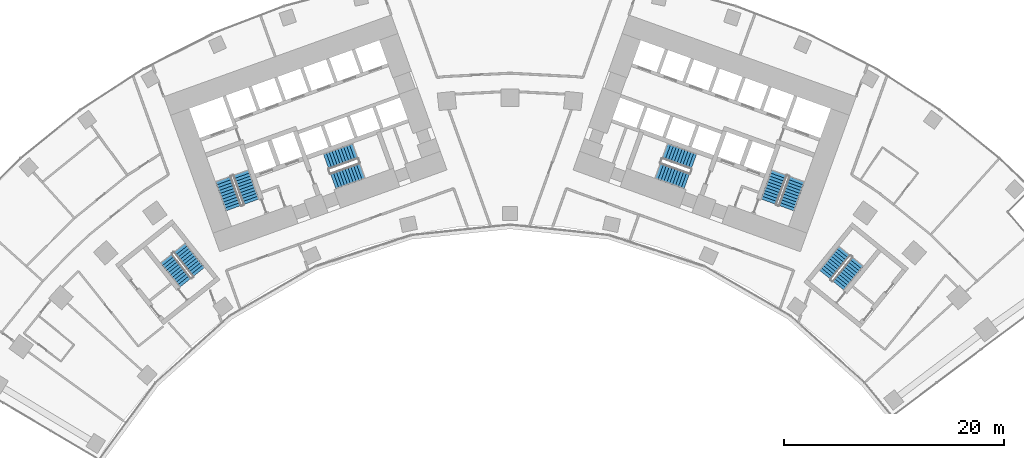
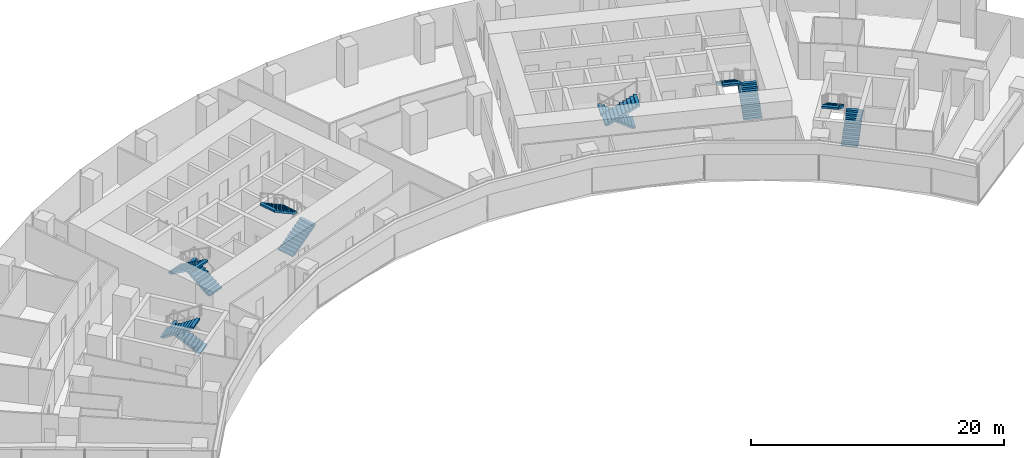
# One storey, part 19 of 21: 12 stair flights, 6 elements without a shape of their own.
"""IFC4 building model written with IfcOpenShell, lengths in metres."""

from ifc_helpers import new_model, si_unit, direction, frame, origin, place, context, subcontext, project, spatial, polyline, outline, extrude, material, type_object, element, aggregate, save


model = new_model("IFC4")

# Units and contexts
model_context = context("Model", 3, precision=1e-05, world=origin(), true_north=direction((0.0, 1.0)))
body_context = subcontext(model_context, "Body", "Model", "MODEL_VIEW")
ifc_project = project(units=[si_unit("LENGTHUNIT", "METRE"), si_unit("AREAUNIT", "SQUARE_METRE"), si_unit("VOLUMEUNIT", "CUBIC_METRE"), si_unit("PLANEANGLEUNIT", "RADIAN"), si_unit("MASSUNIT", "GRAM", prefix="KILO")], contexts=[model_context])

# Site, building, storey
site_placement = place(None, origin())
site = spatial("IfcSite", under=ifc_project, at=site_placement, CompositionType="ELEMENT")
building_placement = place(site_placement, origin())
building = spatial("IfcBuilding", under=site, at=building_placement, Name="Stone Belt Terrace Tower", CompositionType="ELEMENT")
storey_placement = place(building_placement, frame((0.0, 0.0, 71.800048828125)))
storey = spatial("IfcBuildingStorey", under=building, at=storey_placement, Name="L17", CompositionType="ELEMENT", Elevation=71.800048828125)

# Stair, stair flights
ifc_material = material(Name="Concrete B40", Category="concrete")
stair_type = type_object("IfcStairType", Name="Exit stair 1500", PredefinedType="HALF_TURN_STAIR", material=ifc_material)
stair_1_placement = place(storey_placement, origin())
stair_1 = element("IfcStair", 1, at=stair_1_placement, inside=storey, type_object=stair_type, Name="L17 Exit stair 1 core A", PredefinedType="HALF_TURN_STAIR")
stair_flight_type = type_object("IfcStairFlightType", Name="Stair flight 1500", PredefinedType="STRAIGHT", material=ifc_material)
stair_flight_1_placement = place(storey_placement, frame((-23.55322265625, 45.51318359375, 0.0), z_axis=(0.0, 0.0, 1.0), x_axis=(-0.338624396177, 0.940921632398, 0.0)))
stair_flight_1 = element("IfcStairFlight", 2, at=stair_flight_1_placement, type_object=stair_flight_type, Name="ST1A flight 1", NumberOfRisers=11, NumberOfTreads=10, PredefinedType="STRAIGHT", RiserHeight=0.172727273, TreadLength=0.28, context=body_context, shape_type="SweptSolid", body=[
    extrude(outline(polyline([(0.0, 0.0), (0.0, 0.172607421875), (0.280029296875, 0.172607421875), (0.280029296875, 0.345458984375), (0.56005859375, 0.345458984375), (0.56005859375, 0.51806640625), (0.840087890625, 0.51806640625), (0.840087890625, 0.69091796875), (1.1201171875, 0.69091796875), (1.1201171875, 0.863525390625), (1.39990234375, 0.863525390625), (1.39990234375, 1.036376953125), (1.679931640625, 1.036376953125), (1.679931640625, 1.208984375), (1.9599609375, 1.208984375), (1.9599609375, 1.3818359375), (2.239990234375, 1.3818359375), (2.239990234375, 1.554443359375), (2.52001953125, 1.554443359375), (2.52001953125, 1.727294921875), (2.800048828125, 1.727294921875), (2.800048828125, 1.89990234375), (2.800048828125, 1.551025390625), (0.285400390625, 0.0), (0.0, 0.0)])), frame((0.0, 0.75, 0.0), z_axis=(0.0, -1.0, 0.0), x_axis=(1.0, 0.0, 0.0)), (0.0, 0.0, 1.0), 1.5),
])
stair_flight_2_placement = place(storey_placement, frame((-26.10107421875, 47.572021484375, 1.89990234375), z_axis=(0.0, 0.0, 1.0), x_axis=(0.338624396177, -0.940921632398, 0.0)))
stair_flight_2 = element("IfcStairFlight", 3, at=stair_flight_2_placement, type_object=stair_flight_type, Name="ST1A flight 2", NumberOfRisers=11, NumberOfTreads=10, PredefinedType="STRAIGHT", RiserHeight=0.172727273, TreadLength=0.28, context=body_context, shape_type="SweptSolid", body=[
    extrude(outline(polyline([(0.0, 0.0), (0.0, 0.172607421875), (0.280029296875, 0.172607421875), (0.280029296875, 0.345458984375), (0.56005859375, 0.345458984375), (0.56005859375, 0.51806640625), (0.840087890625, 0.51806640625), (0.840087890625, 0.69091796875), (1.1201171875, 0.69091796875), (1.1201171875, 0.863525390625), (1.39990234375, 0.863525390625), (1.39990234375, 1.036376953125), (1.679931640625, 1.036376953125), (1.679931640625, 1.208984375), (1.9599609375, 1.208984375), (1.9599609375, 1.3818359375), (2.239990234375, 1.3818359375), (2.239990234375, 1.554443359375), (2.52001953125, 1.554443359375), (2.52001953125, 1.727294921875), (2.800048828125, 1.727294921875), (2.800048828125, 1.89990234375), (2.800048828125, 1.551025390625), (0.285400390625, 0.0), (0.0, 0.0)])), frame((0.0, 0.75, 0.0), z_axis=(0.0, -1.0, 0.0), x_axis=(1.0, 0.0, 0.0)), (0.0, 0.0, 1.0), 1.5),
])
aggregate(stair_1, [stair_flight_1, stair_flight_2])

stair_2_placement = place(storey_placement, origin())
stair_2 = element("IfcStair", 4, at=stair_2_placement, inside=storey, type_object=stair_type, Name="L17 Exit stair 2 core A", PredefinedType="HALF_TURN_STAIR")
stair_flight_3_placement = place(storey_placement, frame((-16.101318359375, 47.39794921875, 0.0), z_axis=(0.0, 0.0, 1.0), x_axis=(0.940921632398, 0.338624396177, 0.0)))
stair_flight_3 = element("IfcStairFlight", 5, at=stair_flight_3_placement, type_object=stair_flight_type, Name="ST2A flight 1", NumberOfRisers=11, NumberOfTreads=10, PredefinedType="STRAIGHT", RiserHeight=0.172727273, TreadLength=0.28, context=body_context, shape_type="SweptSolid", body=[
    extrude(outline(polyline([(0.0, 0.0), (0.0, 0.172607421875), (0.280029296875, 0.172607421875), (0.280029296875, 0.345458984375), (0.56005859375, 0.345458984375), (0.56005859375, 0.51806640625), (0.840087890625, 0.51806640625), (0.840087890625, 0.69091796875), (1.1201171875, 0.69091796875), (1.1201171875, 0.863525390625), (1.39990234375, 0.863525390625), (1.39990234375, 1.036376953125), (1.679931640625, 1.036376953125), (1.679931640625, 1.208984375), (1.9599609375, 1.208984375), (1.9599609375, 1.3818359375), (2.239990234375, 1.3818359375), (2.239990234375, 1.554443359375), (2.52001953125, 1.554443359375), (2.52001953125, 1.727294921875), (2.800048828125, 1.727294921875), (2.800048828125, 1.89990234375), (2.800048828125, 1.551025390625), (0.285400390625, 0.0), (0.0, 0.0)])), frame((0.0, 0.75, 0.0), z_axis=(0.0, -1.0, 0.0), x_axis=(1.0, 0.0, 0.0)), (0.0, 0.0, 1.0), 1.5),
])
stair_flight_4_placement = place(storey_placement, frame((-14.110107421875, 50.1337890625, 1.89990234375), z_axis=(0.0, 0.0, 1.0), x_axis=(-0.940921632398, -0.338624396177, 0.0)))
stair_flight_4 = element("IfcStairFlight", 6, at=stair_flight_4_placement, type_object=stair_flight_type, Name="ST2A flight 2", NumberOfRisers=11, NumberOfTreads=10, PredefinedType="STRAIGHT", RiserHeight=0.172727273, TreadLength=0.28, context=body_context, shape_type="SweptSolid", body=[
    extrude(outline(polyline([(0.0, 0.0), (0.0, 0.172607421875), (0.280029296875, 0.172607421875), (0.280029296875, 0.345458984375), (0.56005859375, 0.345458984375), (0.56005859375, 0.51806640625), (0.840087890625, 0.51806640625), (0.840087890625, 0.69091796875), (1.1201171875, 0.69091796875), (1.1201171875, 0.863525390625), (1.39990234375, 0.863525390625), (1.39990234375, 1.036376953125), (1.679931640625, 1.036376953125), (1.679931640625, 1.208984375), (1.9599609375, 1.208984375), (1.9599609375, 1.3818359375), (2.239990234375, 1.3818359375), (2.239990234375, 1.554443359375), (2.52001953125, 1.554443359375), (2.52001953125, 1.727294921875), (2.800048828125, 1.727294921875), (2.800048828125, 1.89990234375), (2.800048828125, 1.551025390625), (0.285400390625, 0.0), (0.0, 0.0)])), frame((0.0, 0.75, 0.0), z_axis=(0.0, -1.0, 0.0), x_axis=(1.0, 0.0, 0.0)), (0.0, 0.0, 1.0), 1.5),
])
aggregate(stair_2, [stair_flight_3, stair_flight_4])

stair_3_placement = place(storey_placement, origin())
stair_3 = element("IfcStair", 7, at=stair_3_placement, inside=storey, type_object=stair_type, Name="L17 Exit stair 1 core B", PredefinedType="HALF_TURN_STAIR")
stair_flight_5_placement = place(storey_placement, frame((25.15283203125, 44.9375, 0.0), z_axis=(0.0, 0.0, 1.0), x_axis=(0.338624396177, 0.940921632398, 0.0)))
stair_flight_5 = element("IfcStairFlight", 8, at=stair_flight_5_placement, type_object=stair_flight_type, Name="ST1B flight 1", NumberOfRisers=11, NumberOfTreads=10, PredefinedType="STRAIGHT", RiserHeight=0.172727273, TreadLength=0.28, context=body_context, shape_type="SweptSolid", body=[
    extrude(outline(polyline([(0.0, 0.0), (0.0, 0.172607421875), (0.280029296875, 0.172607421875), (0.280029296875, 0.345458984375), (0.56005859375, 0.345458984375), (0.56005859375, 0.51806640625), (0.840087890625, 0.51806640625), (0.840087890625, 0.69091796875), (1.1201171875, 0.69091796875), (1.1201171875, 0.863525390625), (1.39990234375, 0.863525390625), (1.39990234375, 1.036376953125), (1.679931640625, 1.036376953125), (1.679931640625, 1.208984375), (1.9599609375, 1.208984375), (1.9599609375, 1.3818359375), (2.239990234375, 1.3818359375), (2.239990234375, 1.554443359375), (2.52001953125, 1.554443359375), (2.52001953125, 1.727294921875), (2.800048828125, 1.727294921875), (2.800048828125, 1.89990234375), (2.800048828125, 1.551025390625), (0.285400390625, 0.0), (0.0, 0.0)])), frame((0.0, 0.75, 0.0), z_axis=(0.0, -1.0, 0.0), x_axis=(1.0, 0.0, 0.0)), (0.0, 0.0, 1.0), 1.5),
])
stair_flight_6_placement = place(storey_placement, frame((24.50146484375, 48.147705078125, 1.89990234375), z_axis=(0.0, 0.0, 1.0), x_axis=(-0.338624396177, -0.940921632398, 0.0)))
stair_flight_6 = element("IfcStairFlight", 9, at=stair_flight_6_placement, type_object=stair_flight_type, Name="ST1B flight 2", NumberOfRisers=11, NumberOfTreads=10, PredefinedType="STRAIGHT", RiserHeight=0.172727273, TreadLength=0.28, context=body_context, shape_type="SweptSolid", body=[
    extrude(outline(polyline([(0.0, 0.0), (0.0, 0.172607421875), (0.280029296875, 0.172607421875), (0.280029296875, 0.345458984375), (0.56005859375, 0.345458984375), (0.56005859375, 0.51806640625), (0.840087890625, 0.51806640625), (0.840087890625, 0.69091796875), (1.1201171875, 0.69091796875), (1.1201171875, 0.863525390625), (1.39990234375, 0.863525390625), (1.39990234375, 1.036376953125), (1.679931640625, 1.036376953125), (1.679931640625, 1.208984375), (1.9599609375, 1.208984375), (1.9599609375, 1.3818359375), (2.239990234375, 1.3818359375), (2.239990234375, 1.554443359375), (2.52001953125, 1.554443359375), (2.52001953125, 1.727294921875), (2.800048828125, 1.727294921875), (2.800048828125, 1.89990234375), (2.800048828125, 1.551025390625), (0.285400390625, 0.0), (0.0, 0.0)])), frame((0.0, 0.75, 0.0), z_axis=(0.0, -1.0, 0.0), x_axis=(1.0, 0.0, 0.0)), (0.0, 0.0, 1.0), 1.5),
])
aggregate(stair_3, [stair_flight_5, stair_flight_6])

stair_4_placement = place(storey_placement, origin())
stair_4 = element("IfcStair", 10, at=stair_4_placement, inside=storey, type_object=stair_type, Name="L17 Exit stair 2 core B", PredefinedType="HALF_TURN_STAIR")
stair_flight_7_placement = place(storey_placement, frame((16.74462890625, 49.185546875, 0.0), z_axis=(0.0, 0.0, 1.0), x_axis=(-0.940921632398, 0.338624396177, 0.0)))
stair_flight_7 = element("IfcStairFlight", 11, at=stair_flight_7_placement, type_object=stair_flight_type, Name="ST2B flight 1", NumberOfRisers=11, NumberOfTreads=10, PredefinedType="STRAIGHT", RiserHeight=0.172727273, TreadLength=0.28, context=body_context, shape_type="SweptSolid", body=[
    extrude(outline(polyline([(0.0, 0.0), (0.0, 0.172607421875), (0.280029296875, 0.172607421875), (0.280029296875, 0.345458984375), (0.56005859375, 0.345458984375), (0.56005859375, 0.51806640625), (0.840087890625, 0.51806640625), (0.840087890625, 0.69091796875), (1.1201171875, 0.69091796875), (1.1201171875, 0.863525390625), (1.39990234375, 0.863525390625), (1.39990234375, 1.036376953125), (1.679931640625, 1.036376953125), (1.679931640625, 1.208984375), (1.9599609375, 1.208984375), (1.9599609375, 1.3818359375), (2.239990234375, 1.3818359375), (2.239990234375, 1.554443359375), (2.52001953125, 1.554443359375), (2.52001953125, 1.727294921875), (2.800048828125, 1.727294921875), (2.800048828125, 1.89990234375), (2.800048828125, 1.551025390625), (0.285400390625, 0.0), (0.0, 0.0)])), frame((0.0, 0.75, 0.0), z_axis=(0.0, -1.0, 0.0), x_axis=(1.0, 0.0, 0.0)), (0.0, 0.0, 1.0), 1.5),
])
stair_flight_8_placement = place(storey_placement, frame((13.466796875, 48.345947265625, 1.89990234375), z_axis=(0.0, 0.0, 1.0), x_axis=(0.940921632398, -0.338624396177, 0.0)))
stair_flight_8 = element("IfcStairFlight", 12, at=stair_flight_8_placement, type_object=stair_flight_type, Name="ST2B flight 2", NumberOfRisers=11, NumberOfTreads=10, PredefinedType="STRAIGHT", RiserHeight=0.172727273, TreadLength=0.28, context=body_context, shape_type="SweptSolid", body=[
    extrude(outline(polyline([(0.0, 0.0), (0.0, 0.172607421875), (0.280029296875, 0.172607421875), (0.280029296875, 0.345458984375), (0.56005859375, 0.345458984375), (0.56005859375, 0.51806640625), (0.840087890625, 0.51806640625), (0.840087890625, 0.69091796875), (1.1201171875, 0.69091796875), (1.1201171875, 0.863525390625), (1.39990234375, 0.863525390625), (1.39990234375, 1.036376953125), (1.679931640625, 1.036376953125), (1.679931640625, 1.208984375), (1.9599609375, 1.208984375), (1.9599609375, 1.3818359375), (2.239990234375, 1.3818359375), (2.239990234375, 1.554443359375), (2.52001953125, 1.554443359375), (2.52001953125, 1.727294921875), (2.800048828125, 1.727294921875), (2.800048828125, 1.89990234375), (2.800048828125, 1.551025390625), (0.285400390625, 0.0), (0.0, 0.0)])), frame((0.0, 0.75, 0.0), z_axis=(0.0, -1.0, 0.0), x_axis=(1.0, 0.0, 0.0)), (0.0, 0.0, 1.0), 1.5),
])
aggregate(stair_4, [stair_flight_7, stair_flight_8])

stair_5_placement = place(storey_placement, origin())
stair_5 = element("IfcStair", 13, at=stair_5_placement, inside=storey, type_object=stair_type, Name="L17 Exit stair 3A", PredefinedType="HALF_TURN_STAIR")
stair_flight_9_placement = place(storey_placement, frame((-28.325439453125, 39.1240234375, 0.0), z_axis=(0.0, 0.0, 1.0), x_axis=(-0.623121363691, 0.782125160132, 0.0)))
stair_flight_9 = element("IfcStairFlight", 14, at=stair_flight_9_placement, type_object=stair_flight_type, Name="ST3A flight 1", NumberOfRisers=11, NumberOfTreads=10, PredefinedType="STRAIGHT", RiserHeight=0.172727273, TreadLength=0.28, context=body_context, shape_type="SweptSolid", body=[
    extrude(outline(polyline([(0.0, 0.0), (0.0, 0.172607421875), (0.280029296875, 0.172607421875), (0.280029296875, 0.345458984375), (0.56005859375, 0.345458984375), (0.56005859375, 0.51806640625), (0.840087890625, 0.51806640625), (0.840087890625, 0.69091796875), (1.1201171875, 0.69091796875), (1.1201171875, 0.863525390625), (1.39990234375, 0.863525390625), (1.39990234375, 1.036376953125), (1.679931640625, 1.036376953125), (1.679931640625, 1.208984375), (1.9599609375, 1.208984375), (1.9599609375, 1.3818359375), (2.239990234375, 1.3818359375), (2.239990234375, 1.554443359375), (2.52001953125, 1.554443359375), (2.52001953125, 1.727294921875), (2.800048828125, 1.727294921875), (2.800048828125, 1.89990234375), (2.800048828125, 1.551025390625), (0.285400390625, 0.0), (0.0, 0.0)])), frame((0.0, 0.675048828125, 0.0), z_axis=(0.0, -1.0, 0.0), x_axis=(1.0, 0.0, 0.0)), (0.0, 0.0, 1.0), 1.35009765625),
])
stair_flight_10_placement = place(storey_placement, frame((-31.282470703125, 40.34814453125, 1.89990234375), z_axis=(0.0, 0.0, 1.0), x_axis=(0.623121363691, -0.782125160132, 0.0)))
stair_flight_10 = element("IfcStairFlight", 15, at=stair_flight_10_placement, type_object=stair_flight_type, Name="ST3A flight 2", NumberOfRisers=11, NumberOfTreads=10, PredefinedType="STRAIGHT", RiserHeight=0.172727273, TreadLength=0.28, context=body_context, shape_type="SweptSolid", body=[
    extrude(outline(polyline([(0.0, 0.0), (0.0, 0.172607421875), (0.280029296875, 0.172607421875), (0.280029296875, 0.345458984375), (0.56005859375, 0.345458984375), (0.56005859375, 0.51806640625), (0.840087890625, 0.51806640625), (0.840087890625, 0.69091796875), (1.1201171875, 0.69091796875), (1.1201171875, 0.863525390625), (1.39990234375, 0.863525390625), (1.39990234375, 1.036376953125), (1.679931640625, 1.036376953125), (1.679931640625, 1.208984375), (1.9599609375, 1.208984375), (1.9599609375, 1.3818359375), (2.239990234375, 1.3818359375), (2.239990234375, 1.554443359375), (2.52001953125, 1.554443359375), (2.52001953125, 1.727294921875), (2.800048828125, 1.727294921875), (2.800048828125, 1.89990234375), (2.800048828125, 1.551025390625), (0.285400390625, 0.0), (0.0, 0.0)])), frame((0.0, 0.675048828125, 0.0), z_axis=(0.0, -1.0, 0.0), x_axis=(1.0, 0.0, 0.0)), (0.0, 0.0, 1.0), 1.35009765625),
])
aggregate(stair_5, [stair_flight_9, stair_flight_10])

stair_6_placement = place(storey_placement, origin())
stair_6 = element("IfcStair", 16, at=stair_6_placement, inside=storey, type_object=stair_type, Name="L17 Exit stair 3B", PredefinedType="HALF_TURN_STAIR")
stair_flight_11_placement = place(storey_placement, frame((29.88330078125, 37.887939453125, 0.0), z_axis=(0.0, 0.0, 1.0), x_axis=(0.630205749599, 0.776428176441, 0.0)))
stair_flight_11 = element("IfcStairFlight", 17, at=stair_flight_11_placement, type_object=stair_flight_type, Name="ST3B flight 1", NumberOfRisers=11, NumberOfTreads=10, PredefinedType="STRAIGHT", RiserHeight=0.172727273, TreadLength=0.28, context=body_context, shape_type="SweptSolid", body=[
    extrude(outline(polyline([(0.0, 0.0), (0.0, 0.172607421875), (0.280029296875, 0.172607421875), (0.280029296875, 0.345458984375), (0.56005859375, 0.345458984375), (0.56005859375, 0.51806640625), (0.840087890625, 0.51806640625), (0.840087890625, 0.69091796875), (1.1201171875, 0.69091796875), (1.1201171875, 0.863525390625), (1.39990234375, 0.863525390625), (1.39990234375, 1.036376953125), (1.679931640625, 1.036376953125), (1.679931640625, 1.208984375), (1.9599609375, 1.208984375), (1.9599609375, 1.3818359375), (2.239990234375, 1.3818359375), (2.239990234375, 1.554443359375), (2.52001953125, 1.554443359375), (2.52001953125, 1.727294921875), (2.800048828125, 1.727294921875), (2.800048828125, 1.89990234375), (2.800048828125, 1.551025390625), (0.285400390625, 0.0), (0.0, 0.0)])), frame((0.0, 0.675048828125, 0.0), z_axis=(0.0, -1.0, 0.0), x_axis=(1.0, 0.0, 0.0)), (0.0, 0.0, 1.0), 1.35009765625),
])
stair_flight_12_placement = place(storey_placement, frame((30.4443359375, 41.038818359375, 1.89990234375), z_axis=(0.0, 0.0, 1.0), x_axis=(-0.630205749599, -0.776428176441, 0.0)))
stair_flight_12 = element("IfcStairFlight", 18, at=stair_flight_12_placement, type_object=stair_flight_type, Name="ST3B flight 2", NumberOfRisers=11, NumberOfTreads=10, PredefinedType="STRAIGHT", RiserHeight=0.172727273, TreadLength=0.28, context=body_context, shape_type="SweptSolid", body=[
    extrude(outline(polyline([(0.0, 0.0), (0.0, 0.172607421875), (0.280029296875, 0.172607421875), (0.280029296875, 0.345458984375), (0.56005859375, 0.345458984375), (0.56005859375, 0.51806640625), (0.840087890625, 0.51806640625), (0.840087890625, 0.69091796875), (1.1201171875, 0.69091796875), (1.1201171875, 0.863525390625), (1.39990234375, 0.863525390625), (1.39990234375, 1.036376953125), (1.679931640625, 1.036376953125), (1.679931640625, 1.208984375), (1.9599609375, 1.208984375), (1.9599609375, 1.3818359375), (2.239990234375, 1.3818359375), (2.239990234375, 1.554443359375), (2.52001953125, 1.554443359375), (2.52001953125, 1.727294921875), (2.800048828125, 1.727294921875), (2.800048828125, 1.89990234375), (2.800048828125, 1.551025390625), (0.285400390625, 0.0), (0.0, 0.0)])), frame((0.0, 0.675048828125, 0.0), z_axis=(0.0, -1.0, 0.0), x_axis=(1.0, 0.0, 0.0)), (0.0, 0.0, 1.0), 1.35009765625),
])
aggregate(stair_6, [stair_flight_11, stair_flight_12])

save(model, "model.ifc")
